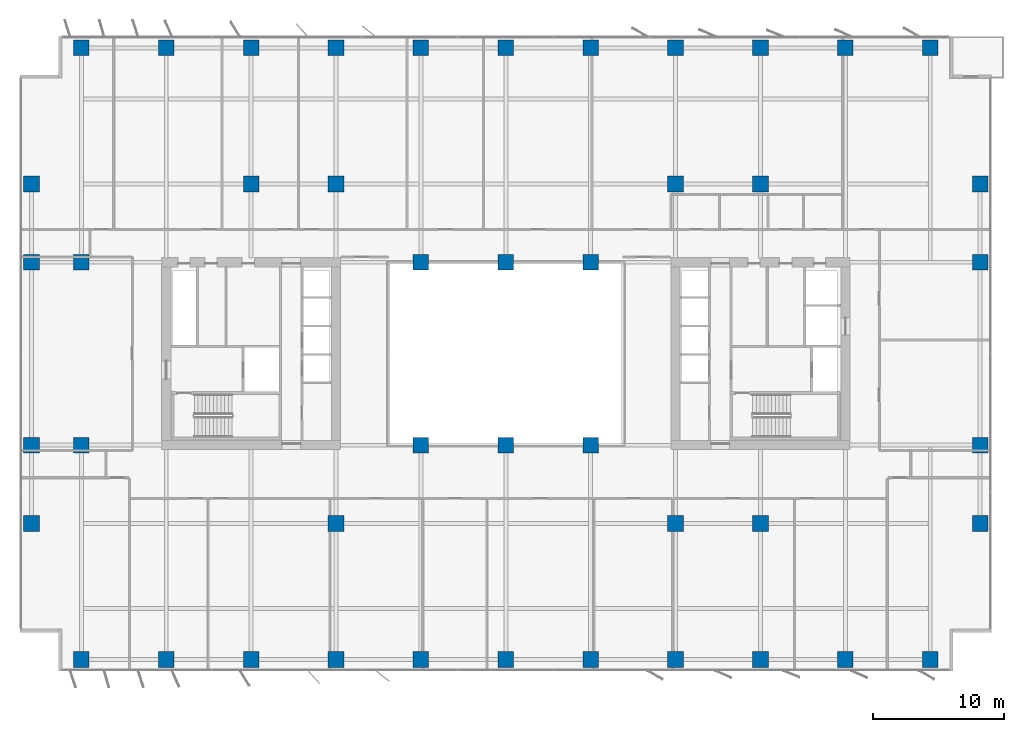
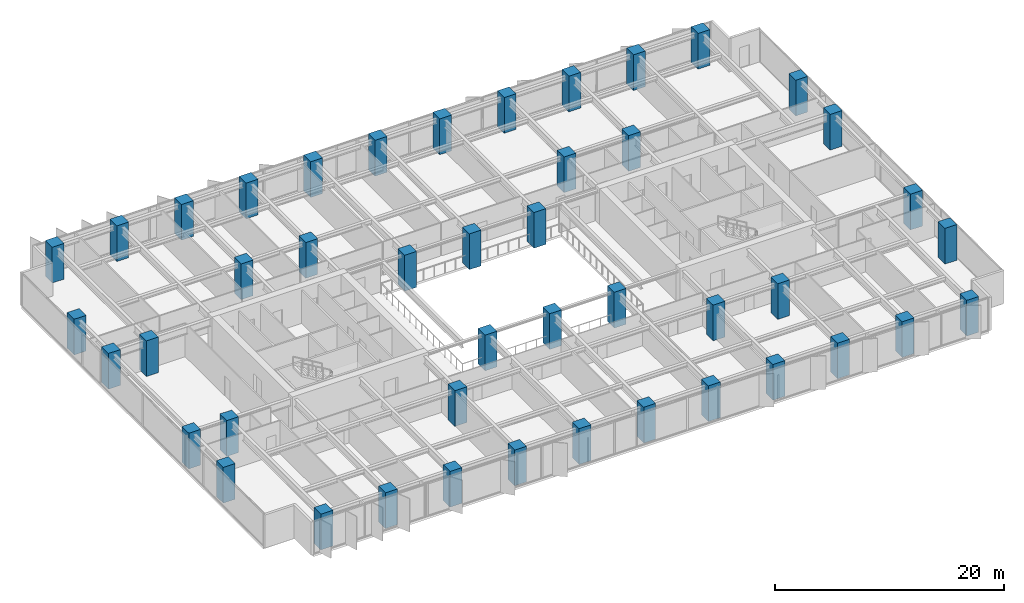
# One storey, part 1 of 20: 45 columns.
"""IFC4 building model written with IfcOpenShell, lengths in metres."""

from ifc_helpers import new_model, si_unit, direction, frame, origin, origin_2d, place, context, subcontext, project, spatial, rectangle, extrude, material, material_profile, profile_set, type_object, element, save


model = new_model("IFC4")

# Units and contexts
model_context = context("Model", 3, precision=1e-05, world=origin(), true_north=direction((0.0, 1.0)))
body_context = subcontext(model_context, "Body", "Model", "MODEL_VIEW")
ifc_project = project(units=[si_unit("LENGTHUNIT", "METRE"), si_unit("AREAUNIT", "SQUARE_METRE"), si_unit("VOLUMEUNIT", "CUBIC_METRE"), si_unit("PLANEANGLEUNIT", "RADIAN"), si_unit("MASSUNIT", "GRAM", prefix="KILO")], contexts=[model_context])

# Site, building, storey
site_placement = place(None, origin())
site = spatial("IfcSite", under=ifc_project, at=site_placement, CompositionType="ELEMENT")
building_placement = place(site_placement, origin())
building = spatial("IfcBuilding", under=site, at=building_placement, Name="Putna Gate Headquarters", CompositionType="ELEMENT")
storey_placement = place(building_placement, frame((0.0, 0.0, 135.39990234375)))
storey = spatial("IfcBuildingStorey", under=building, at=storey_placement, Name="L33", CompositionType="ELEMENT", Elevation=135.39990234375)

# Columns
ifc_material = material(Name="Concrete C60/75", Category="concrete")
ifc_material_profile_1 = material_profile(ifc_material, rectangle(XDim=1.199951171875, YDim=1.199951171875, at=origin_2d()), Name="Concrete C60/75")
ifc_profile_set_1 = profile_set([ifc_material_profile_1], Name="Concrete C60/75")
column_type_1 = type_object("IfcColumnType", Name="COL-RC1200-EXT", PredefinedType="COLUMN", material=ifc_profile_set_1)
for number, where, z_axis, x_axis, name in (
    (1, (6.5, 2.580078125, 0.0), (0.0, 0.0, 1.0), (1.0, 0.0, 0.0), "L33 Column CP-S6"),
    (2, (6.5, 49.419921875, 0.0), (0.0, 0.0, 1.0), (1.0, 0.0, 0.0), "L33 Column CP-N6"),
    (3, (13.0, 2.580078125, 0.0), (0.0, 0.0, 1.0), (1.0, 0.0, 0.0), "L33 Column CP-S13"),
    (4, (13.0, 49.419921875, 0.0), (0.0, 0.0, 1.0), (1.0, 0.0, 0.0), "L33 Column CP-N13"),
    (5, (19.5, 2.580078125, 0.0), (0.0, 0.0, 1.0), (1.0, 0.0, 0.0), "L33 Column CP-S19"),
    (6, (19.5, 49.419921875, 0.0), (0.0, 0.0, 1.0), (1.0, 0.0, 0.0), "L33 Column CP-N19"),
    (7, (26.0, 2.580078125, 0.0), (0.0, 0.0, 1.0), (1.0, 0.0, 0.0), "L33 Column CP-S26"),
    (8, (26.0, 49.419921875, 0.0), (0.0, 0.0, 1.0), (1.0, 0.0, 0.0), "L33 Column CP-N26"),
    (9, (32.5, 2.580078125, 0.0), (0.0, 0.0, 1.0), (1.0, 0.0, 0.0), "L33 Column CP-S32"),
    (10, (32.5, 49.419921875, 0.0), (0.0, 0.0, 1.0), (1.0, 0.0, 0.0), "L33 Column CP-N32"),
    (11, (39.0, 2.580078125, 0.0), (0.0, 0.0, 1.0), (1.0, 0.0, 0.0), "L33 Column CP-S39"),
    (12, (39.0, 49.419921875, 0.0), (0.0, 0.0, 1.0), (1.0, 0.0, 0.0), "L33 Column CP-N39"),
    (13, (45.5, 2.580078125, 0.0), (0.0, 0.0, 1.0), (1.0, 0.0, 0.0), "L33 Column CP-S45"),
    (14, (45.5, 49.419921875, 0.0), (0.0, 0.0, 1.0), (1.0, 0.0, 0.0), "L33 Column CP-N45"),
    (15, (52.0, 2.580078125, 0.0), (0.0, 0.0, 1.0), (1.0, 0.0, 0.0), "L33 Column CP-S52"),
    (16, (52.0, 49.419921875, 0.0), (0.0, 0.0, 1.0), (1.0, 0.0, 0.0), "L33 Column CP-N52"),
    (17, (58.5, 2.580078125, 0.0), (0.0, 0.0, 1.0), (1.0, 0.0, 0.0), "L33 Column CP-S58"),
    (18, (58.5, 49.419921875, 0.0), (0.0, 0.0, 1.0), (1.0, 0.0, 0.0), "L33 Column CP-N58"),
    (19, (65.0, 2.580078125, 0.0), (0.0, 0.0, 1.0), (1.0, 0.0, 0.0), "L33 Column CP-S65"),
    (20, (65.0, 49.419921875, 0.0), (0.0, 0.0, 1.0), (1.0, 0.0, 0.0), "L33 Column CP-N65"),
    (21, (71.5, 2.580078125, 0.0), (0.0, 0.0, 1.0), (1.0, 0.0, 0.0), "L33 Column CP-S71"),
    (22, (71.5, 49.419921875, 0.0), (0.0, 0.0, 1.0), (1.0, 0.0, 0.0), "L33 Column CP-N71"),
    (23, (2.679931640625, 13.0, 0.0), (0.0, 0.0, 1.0), (1.0, 0.0, 0.0), "L33 Column CP-W13"),
    (24, (75.320068359375, 13.0, 0.0), (0.0, 0.0, 1.0), (1.0, 0.0, 0.0), "L33 Column CP-E13"),
    (25, (2.679931640625, 19.0, 0.0), (0.0, 0.0, 1.0), (1.0, 0.0, 0.0), "L33 Column CP-W19"),
    (26, (75.320068359375, 19.0, 0.0), (0.0, 0.0, 1.0), (1.0, 0.0, 0.0), "L33 Column CP-E19"),
    (27, (2.679931640625, 33.0, 0.0), (0.0, 0.0, 1.0), (1.0, 0.0, 0.0), "L33 Column CP-W33"),
    (28, (75.320068359375, 33.0, 0.0), (0.0, 0.0, 1.0), (1.0, 0.0, 0.0), "L33 Column CP-E33"),
    (29, (2.679931640625, 39.0, 0.0), (0.0, 0.0, 1.0), (1.0, 0.0, 0.0), "L33 Column CP-W39"),
    (30, (75.320068359375, 39.0, 0.0), (0.0, 0.0, 1.0), (1.0, 0.0, 0.0), "L33 Column CP-E39"),
):
    element("IfcColumn", number, at=place(storey_placement, frame(where, z_axis=z_axis, x_axis=x_axis)), inside=storey, type_object=column_type_1, Name=name, PredefinedType="COLUMN", context=body_context, shape_type="SweptSolid", body=[
        extrude(rectangle(XDim=1.199951171875, YDim=1.199951171875, at=origin_2d()), origin(), (0.0, 0.0, 1.0), 3.800048828125),
    ])
ifc_material_profile_2 = material_profile(ifc_material, rectangle(XDim=1.199951171875, YDim=1.199951171875, at=origin_2d()), Name="Concrete C60/75")
ifc_profile_set_2 = profile_set([ifc_material_profile_2], Name="Concrete C60/75")
column_type_2 = type_object("IfcColumnType", Name="COL-RC1200-INT", PredefinedType="COLUMN", material=ifc_profile_set_2)
for number, where, z_axis, x_axis, name in (
    (31, (19.5, 39.0, 0.0), (0.0, 0.0, 1.0), (1.0, 0.0, 0.0), "L33 Column CSI-WN"),
    (32, (58.5, 13.0, 0.0), (0.0, 0.0, 1.0), (1.0, 0.0, 0.0), "L33 Column CSI-ES"),
    (33, (58.5, 39.0, 0.0), (0.0, 0.0, 1.0), (1.0, 0.0, 0.0), "L33 Column CSI-EN"),
    (34, (6.5, 19.0, 0.0), (0.0, 0.0, 1.0), (1.0, 0.0, 0.0), "L33 Column CSI-WM"),
    (35, (6.5, 33.0, 0.0), (0.0, 0.0, 1.0), (1.0, 0.0, 0.0), "L33 Column CSI-WNW"),
    (36, (32.5, 19.0, 0.0), (0.0, 0.0, 1.0), (1.0, 0.0, 0.0), "L33 Column CAI-S32"),
    (37, (32.5, 33.0, 0.0), (0.0, 0.0, 1.0), (1.0, 0.0, 0.0), "L33 Column CAI-N32"),
    (38, (39.0, 19.0, 0.0), (0.0, 0.0, 1.0), (1.0, 0.0, 0.0), "L33 Column CAI-S39"),
    (39, (39.0, 33.0, 0.0), (0.0, 0.0, 1.0), (1.0, 0.0, 0.0), "L33 Column CAI-N39"),
    (40, (45.5, 19.0, 0.0), (0.0, 0.0, 1.0), (1.0, 0.0, 0.0), "L33 Column CAI-S45"),
    (41, (45.5, 33.0, 0.0), (0.0, 0.0, 1.0), (1.0, 0.0, 0.0), "L33 Column CAI-N45"),
    (42, (26.0, 13.0, 0.0), (0.0, 0.0, 1.0), (1.0, 0.0, 0.0), "L33 Column CAP-WS"),
    (43, (26.0, 39.0, 0.0), (0.0, 0.0, 1.0), (1.0, 0.0, 0.0), "L33 Column CAP-WN"),
    (44, (52.0, 13.0, 0.0), (0.0, 0.0, 1.0), (1.0, 0.0, 0.0), "L33 Column CAP-ES"),
    (45, (52.0, 39.0, 0.0), (0.0, 0.0, 1.0), (1.0, 0.0, 0.0), "L33 Column CAP-EN"),
):
    element("IfcColumn", number, at=place(storey_placement, frame(where, z_axis=z_axis, x_axis=x_axis)), inside=storey, type_object=column_type_2, Name=name, PredefinedType="COLUMN", context=body_context, shape_type="SweptSolid", body=[
        extrude(rectangle(XDim=1.199951171875, YDim=1.199951171875, at=origin_2d()), origin(), (0.0, 0.0, 1.0), 3.800048828125),
    ])

save(model, "model.ifc")
